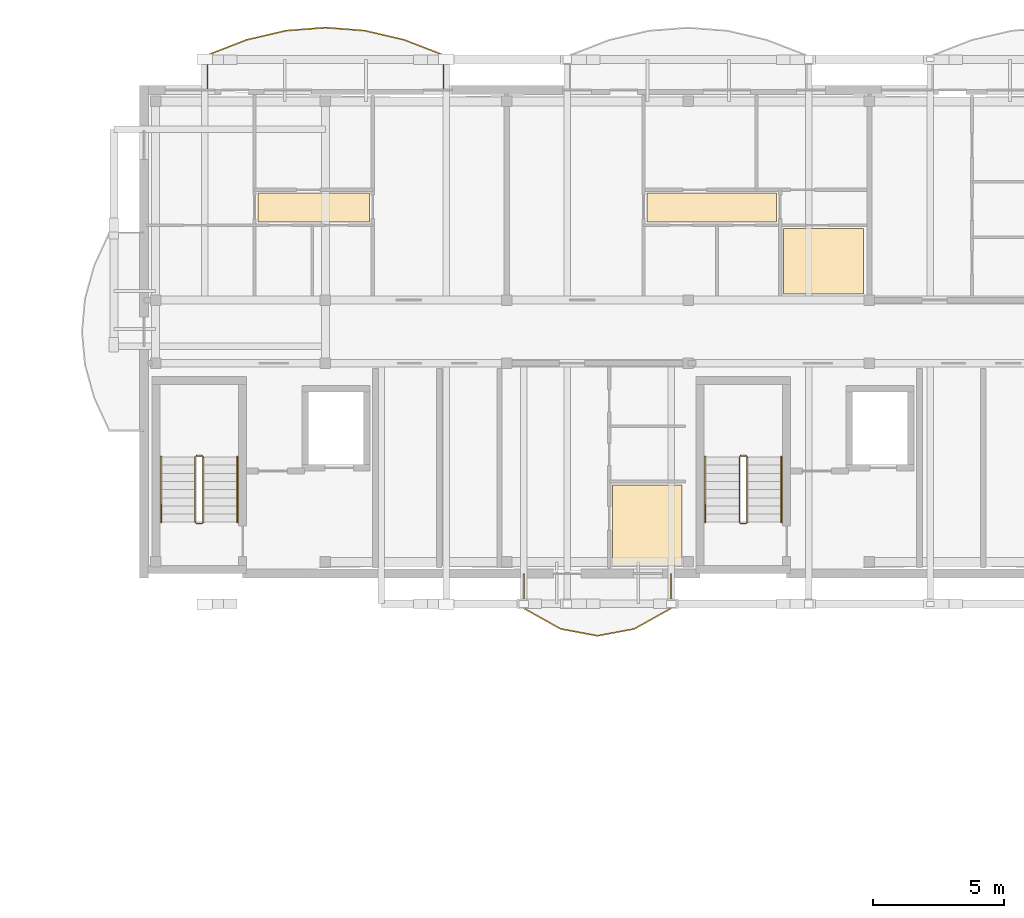
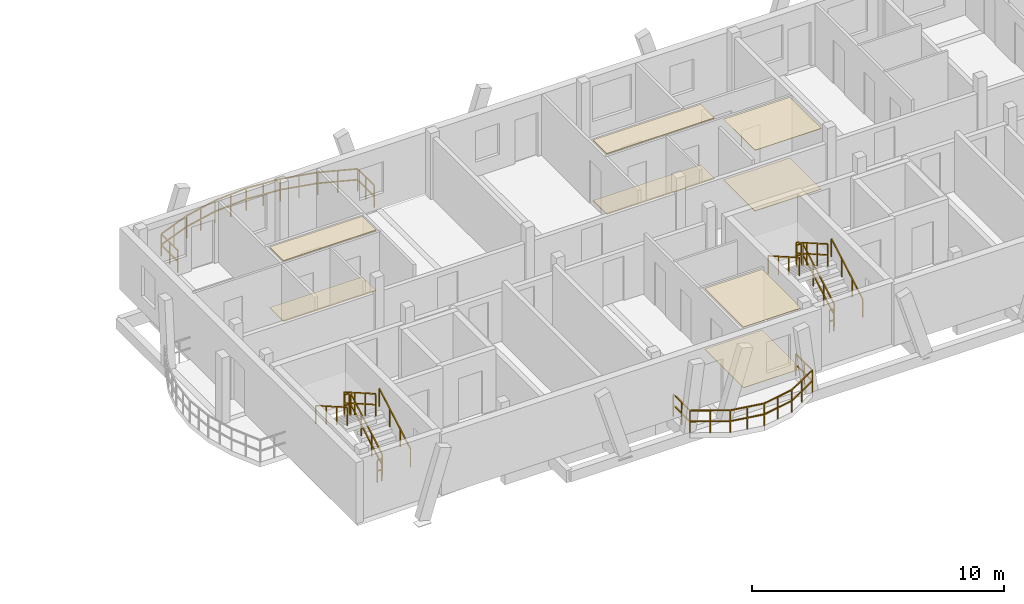
# One storey, part 40 of 41: 14 railings, 8 coverings.
"""IFC4 building model written with IfcOpenShell, lengths in metres."""

from ifc_helpers import new_model, si_unit, direction, frame, origin, origin_2d, place, context, subcontext, project, spatial, polyline, rectangle, outline, extrude, material, layer, layer_set, type_object, element, save


model = new_model("IFC4")

# Units and contexts
model_context = context("Model", 3, precision=1e-05, world=origin(), true_north=direction((0.0, 1.0)))
body_context = subcontext(model_context, "Body", "Model", "MODEL_VIEW")
ifc_project = project(units=[si_unit("LENGTHUNIT", "METRE"), si_unit("AREAUNIT", "SQUARE_METRE"), si_unit("VOLUMEUNIT", "CUBIC_METRE"), si_unit("PLANEANGLEUNIT", "RADIAN"), si_unit("MASSUNIT", "GRAM", prefix="KILO")], contexts=[model_context])

# Site, building, storey
site_placement = place(None, origin())
site = spatial("IfcSite", under=ifc_project, at=site_placement, CompositionType="ELEMENT")
building_placement = place(site_placement, origin())
building = spatial("IfcBuilding", under=site, at=building_placement, Name="Zavelmont Quarter", CompositionType="ELEMENT")
storey_placement = place(building_placement, frame((0.0, 0.0, 27.199951171875)))
storey = spatial("IfcBuildingStorey", under=building, at=storey_placement, Name="L08", CompositionType="ELEMENT", Elevation=27.199951171875)

# Coverings
ifc_material_1 = material(Name="Perforated acoustic gypsum board")
ifc_layer_1 = layer(ifc_material_1, 0.02490234375)
ifc_layer_set_1 = layer_set([ifc_layer_1], Name="Perforated acoustic gypsum board")
covering_type_1 = type_object("IfcCoveringType", Name="CV-CL01", PredefinedType="CEILING", material=ifc_layer_set_1)
covering_1_placement = place(storey_placement, frame((0.0, 0.0, 2.93505859375)))
element("IfcCovering", 1, at=covering_1_placement, inside=storey, type_object=covering_type_1, Name="L08 Single Bedroom acoustic ceiling", PredefinedType="CEILING", context=body_context, shape_type="SweptSolid", body=[
    extrude(outline(polyline([(144.429931640625, 100.969970703125), (147.070068359375, 100.969970703125), (147.070068359375, 98.280029296875), (147.06005859375, 98.280029296875), (147.06005859375, 97.8798828125), (144.429931640625, 97.8798828125), (144.429931640625, 100.969970703125)])), origin(), (0.0, 0.0, 1.0), 0.02490234375),
])
ifc_material_2 = material(Name="Slatted European ash acoustic baffle ceiling")
ifc_layer_2 = layer(ifc_material_2, 0.0400390625)
ifc_layer_set_2 = layer_set([ifc_layer_2], Name="Slatted European ash acoustic baffle ceiling")
covering_type_2 = type_object("IfcCoveringType", Name="CV-CL02", PredefinedType="CEILING", material=ifc_layer_set_2)
covering_2_placement = place(storey_placement, frame((0.0, 0.0, 2.920166015625)))
element("IfcCovering", 2, at=covering_2_placement, inside=storey, type_object=covering_type_2, Name="L08 Apartment Hall acoustic ceiling", PredefinedType="CEILING", context=body_context, shape_type="SweptSolid", body=[
    extrude(outline(polyline([(130.929931640625, 112.070068359375), (135.169921875, 112.070068359375), (135.169921875, 110.97998046875), (130.929931640625, 110.97998046875), (130.929931640625, 112.070068359375)])), origin(), (0.0, 0.0, 1.0), 0.039794921875),
])
covering_3_placement = place(storey_placement, frame((0.0, 0.0, 2.920166015625)))
element("IfcCovering", 3, at=covering_3_placement, inside=storey, type_object=covering_type_2, Name="L08 Apartment Hall acoustic ceiling", PredefinedType="CEILING", context=body_context, shape_type="SweptSolid", body=[
    extrude(outline(polyline([(145.72998046875, 112.070068359375), (150.669921875, 112.070068359375), (150.669921875, 110.97998046875), (145.72998046875, 110.97998046875), (145.72998046875, 112.070068359375)])), origin(), (0.0, 0.0, 1.0), 0.039794921875),
])
ifc_material_3 = material(Name="Moisture-resistant painted gypsum ceiling")
ifc_layer_3 = layer(ifc_material_3, 0.02001953125)
ifc_layer_set_3 = layer_set([ifc_layer_3], Name="Moisture-resistant painted gypsum ceiling")
covering_type_3 = type_object("IfcCoveringType", Name="CV-CL04", PredefinedType="CEILING", material=ifc_layer_set_3)
covering_4_placement = place(storey_placement, frame((0.0, 0.0, 2.93994140625)))
element("IfcCovering", 4, at=covering_4_placement, inside=storey, type_object=covering_type_3, Name="L08 Bathroom acoustic ceiling", PredefinedType="CEILING", context=body_context, shape_type="SweptSolid", body=[
    extrude(outline(polyline([(150.929931640625, 110.719970703125), (153.969970703125, 110.719970703125), (153.969970703125, 108.239990234375), (153.9599609375, 108.239990234375), (153.9599609375, 108.22998046875), (150.929931640625, 108.22998046875), (150.929931640625, 110.719970703125)])), origin(), (0.0, 0.0, 1.0), 0.02001953125),
])
ifc_material_4 = material(Name="Engineered European oak parquet")
ifc_layer_4 = layer(ifc_material_4, 0.02197265625)
ifc_layer_set_4 = layer_set([ifc_layer_4], Name="Engineered European oak parquet")
covering_type_4 = type_object("IfcCoveringType", Name="CV-FL01", PredefinedType="FLOORING", material=ifc_layer_set_4)
covering_5_placement = place(storey_placement, origin())
element("IfcCovering", 5, at=covering_5_placement, inside=storey, type_object=covering_type_4, Name="L08 Single Bedroom floor finish", PredefinedType="FLOORING", context=body_context, shape_type="SweptSolid", body=[
    extrude(outline(polyline([(144.429931640625, 100.969970703125), (147.070068359375, 100.969970703125), (147.070068359375, 98.280029296875), (147.06005859375, 98.280029296875), (147.06005859375, 97.8798828125), (144.429931640625, 97.8798828125), (144.429931640625, 100.969970703125)])), origin(), (0.0, 0.0, 1.0), 0.02197265625),
])
ifc_material_5 = material(Name="Honed Belgian bluestone tile", Category="masonry")
ifc_layer_5 = layer(ifc_material_5, 0.030029296875)
ifc_layer_set_5 = layer_set([ifc_layer_5], Name="Honed Belgian bluestone tile")
covering_type_5 = type_object("IfcCoveringType", Name="CV-FL02", PredefinedType="FLOORING", material=ifc_layer_set_5)
covering_6_placement = place(storey_placement, origin())
element("IfcCovering", 6, at=covering_6_placement, inside=storey, type_object=covering_type_5, Name="L08 Apartment Hall floor finish", PredefinedType="FLOORING", context=body_context, shape_type="SweptSolid", body=[
    extrude(outline(polyline([(130.929931640625, 112.070068359375), (135.169921875, 112.070068359375), (135.169921875, 110.97998046875), (130.929931640625, 110.97998046875), (130.929931640625, 112.070068359375)])), origin(), (0.0, 0.0, 1.0), 0.030029296875),
])
covering_7_placement = place(storey_placement, origin())
element("IfcCovering", 7, at=covering_7_placement, inside=storey, type_object=covering_type_5, Name="L08 Apartment Hall floor finish", PredefinedType="FLOORING", context=body_context, shape_type="SweptSolid", body=[
    extrude(outline(polyline([(145.72998046875, 112.070068359375), (150.669921875, 112.070068359375), (150.669921875, 110.97998046875), (145.72998046875, 110.97998046875), (145.72998046875, 112.070068359375)])), origin(), (0.0, 0.0, 1.0), 0.030029296875),
])
ifc_material_6 = material(Name="Slip-resistant porcelain tile")
ifc_layer_6 = layer(ifc_material_6, 0.02587890625)
ifc_layer_set_6 = layer_set([ifc_layer_6], Name="Slip-resistant porcelain tile")
covering_type_6 = type_object("IfcCoveringType", Name="CV-FL04", PredefinedType="FLOORING", material=ifc_layer_set_6)
covering_8_placement = place(storey_placement, origin())
element("IfcCovering", 8, at=covering_8_placement, inside=storey, type_object=covering_type_6, Name="L08 Bathroom floor finish", PredefinedType="FLOORING", context=body_context, shape_type="SweptSolid", body=[
    extrude(outline(polyline([(150.929931640625, 110.719970703125), (153.969970703125, 110.719970703125), (153.969970703125, 108.239990234375), (153.9599609375, 108.239990234375), (153.9599609375, 108.22998046875), (150.929931640625, 108.22998046875), (150.929931640625, 110.719970703125)])), origin(), (0.0, 0.0, 1.0), 0.026123046875),
])

# Railings
ifc_material_7 = material(Name="Powder-coated steel and tempered double safety glass", Category="steel")
railing_type_1 = type_object("IfcRailingType", Name="RL-BAL1", PredefinedType="BALUSTRADE", material=ifc_material_7)
railing_1_placement = place(storey_placement, frame((137.99267578125, 116.02001953125, 0.0)))
element("IfcRailing", 9, at=railing_1_placement, inside=storey, type_object=railing_type_1, Name="L08 Block C curved balcony guard RL-BAL1", PredefinedType="BALUSTRADE", context=body_context, shape_type="SweptSolid", body=[
    extrude(rectangle(XDim=0.048095703125, YDim=0.048095703125, at=origin_2d()), frame((0.0, 0.0, 1.076171875), z_axis=(0.0, 1.0, 0.0), x_axis=(-1.0, 0.0, 0.0)), (0.0, 0.0, 1.0), 1.308837890625),
    extrude(rectangle(XDim=0.048095703125, YDim=0.048095703125, at=origin_2d()), frame((0.0, 0.0, 0.550048828125), z_axis=(0.0, 1.0, 0.0), x_axis=(-1.0, 0.0, 0.0)), (0.0, 0.0, 1.0), 1.308837890625),
    extrude(rectangle(XDim=0.048095703125, YDim=0.048095703125, at=origin_2d()), frame((0.0, 1.308837890625, 1.076171875), z_axis=(-0.932488832958, 0.36119880455, 0.0), x_axis=(-0.36119880455, -0.932488832958, 0.0)), (0.0, 0.0, 1.0), 1.60595703125),
    extrude(rectangle(XDim=0.048095703125, YDim=0.048095703125, at=origin_2d()), frame((0.0, 1.308837890625, 0.550048828125), z_axis=(-0.932488832958, 0.36119880455, 0.0), x_axis=(-0.36119880455, -0.932488832958, 0.0)), (0.0, 0.0, 1.0), 1.60595703125),
    extrude(rectangle(XDim=0.048095703125, YDim=0.048095703125, at=origin_2d()), frame((-1.49755859375, 1.888916015625, 1.076171875), z_axis=(-0.9740259481, 0.226436420279, 0.0), x_axis=(-0.226436420279, -0.9740259481, 0.0)), (0.0, 0.0, 1.0), 1.53759765625),
    extrude(rectangle(XDim=0.048095703125, YDim=0.048095703125, at=origin_2d()), frame((-1.49755859375, 1.888916015625, 0.550048828125), z_axis=(-0.9740259481, 0.226436420279, 0.0), x_axis=(-0.226436420279, -0.9740259481, 0.0)), (0.0, 0.0, 1.0), 1.53759765625),
    extrude(rectangle(XDim=0.048095703125, YDim=0.048095703125, at=origin_2d()), frame((-2.9951171875, 2.237060546875, 1.076171875), z_axis=(-0.997015154649, 0.077206096912, 0.0), x_axis=(-0.077206096912, -0.997015154649, 0.0)), (0.0, 0.0, 1.0), 1.501953125),
    extrude(rectangle(XDim=0.048095703125, YDim=0.048095703125, at=origin_2d()), frame((-2.9951171875, 2.237060546875, 0.550048828125), z_axis=(-0.997015154649, 0.077206096912, 0.0), x_axis=(-0.077206096912, -0.997015154649, 0.0)), (0.0, 0.0, 1.0), 1.501953125),
    extrude(rectangle(XDim=0.048095703125, YDim=0.048095703125, at=origin_2d()), frame((-4.49267578125, 2.35302734375, 1.076171875), z_axis=(-0.997015154649, -0.077206096912, 0.0), x_axis=(0.077206096912, -0.997015154649, 0.0)), (0.0, 0.0, 1.0), 1.501953125),
    extrude(rectangle(XDim=0.048095703125, YDim=0.048095703125, at=origin_2d()), frame((-4.49267578125, 2.35302734375, 0.550048828125), z_axis=(-0.997015154649, -0.077206096912, 0.0), x_axis=(0.077206096912, -0.997015154649, 0.0)), (0.0, 0.0, 1.0), 1.501953125),
    extrude(rectangle(XDim=0.048095703125, YDim=0.048095703125, at=origin_2d()), frame((-5.990234375, 2.237060546875, 1.076171875), z_axis=(-0.9740259481, -0.226436420279, 0.0), x_axis=(0.226436420279, -0.9740259481, 0.0)), (0.0, 0.0, 1.0), 1.53759765625),
    extrude(rectangle(XDim=0.048095703125, YDim=0.048095703125, at=origin_2d()), frame((-5.990234375, 2.237060546875, 0.550048828125), z_axis=(-0.9740259481, -0.226436420279, 0.0), x_axis=(0.226436420279, -0.9740259481, 0.0)), (0.0, 0.0, 1.0), 1.53759765625),
    extrude(rectangle(XDim=0.048095703125, YDim=0.048095703125, at=origin_2d()), frame((-7.48779296875, 1.888916015625, 1.076171875), z_axis=(-0.932488832958, -0.36119880455, 0.0), x_axis=(0.36119880455, -0.932488832958, 0.0)), (0.0, 0.0, 1.0), 1.60595703125),
    extrude(rectangle(XDim=0.048095703125, YDim=0.048095703125, at=origin_2d()), frame((-7.48779296875, 1.888916015625, 0.550048828125), z_axis=(-0.932488832958, -0.36119880455, 0.0), x_axis=(0.36119880455, -0.932488832958, 0.0)), (0.0, 0.0, 1.0), 1.60595703125),
    extrude(rectangle(XDim=0.048095703125, YDim=0.048095703125, at=origin_2d()), frame((-8.9853515625, 1.308837890625, 1.076171875), z_axis=(0.0, -1.0, 0.0), x_axis=(1.0, 0.0, 0.0)), (0.0, 0.0, 1.0), 1.308837890625),
    extrude(rectangle(XDim=0.048095703125, YDim=0.048095703125, at=origin_2d()), frame((-8.9853515625, 1.308837890625, 0.550048828125), z_axis=(0.0, -1.0, 0.0), x_axis=(1.0, 0.0, 0.0)), (0.0, 0.0, 1.0), 1.308837890625),
    extrude(rectangle(XDim=0.0419921875, YDim=0.0419921875, at=origin_2d()), origin(), (0.0, 0.0, 1.0), 1.052001953125),
    extrude(rectangle(XDim=0.0419921875, YDim=0.0419921875, at=origin_2d()), frame((0.0, 0.654296875, 0.0)), (0.0, 0.0, 1.0), 1.052001953125),
    extrude(rectangle(XDim=0.0419921875, YDim=0.0419921875, at=origin_2d()), frame((0.0, 1.308837890625, 0.0)), (0.0, 0.0, 1.0), 1.052001953125),
    extrude(rectangle(XDim=0.0419921875, YDim=0.0419921875, at=origin_2d()), frame((-0.748779296875, 1.598876953125, 0.0)), (0.0, 0.0, 1.0), 1.052001953125),
    extrude(rectangle(XDim=0.0419921875, YDim=0.0419921875, at=origin_2d()), frame((-1.49755859375, 1.888916015625, 0.0)), (0.0, 0.0, 1.0), 1.052001953125),
    extrude(rectangle(XDim=0.0419921875, YDim=0.0419921875, at=origin_2d()), frame((-2.246337890625, 2.06298828125, 0.0)), (0.0, 0.0, 1.0), 1.052001953125),
    extrude(rectangle(XDim=0.0419921875, YDim=0.0419921875, at=origin_2d()), frame((-2.9951171875, 2.237060546875, 0.0)), (0.0, 0.0, 1.0), 1.052001953125),
    extrude(rectangle(XDim=0.0419921875, YDim=0.0419921875, at=origin_2d()), frame((-3.743896484375, 2.294921875, 0.0)), (0.0, 0.0, 1.0), 1.052001953125),
    extrude(rectangle(XDim=0.0419921875, YDim=0.0419921875, at=origin_2d()), frame((-4.49267578125, 2.35302734375, 0.0)), (0.0, 0.0, 1.0), 1.052001953125),
    extrude(rectangle(XDim=0.0419921875, YDim=0.0419921875, at=origin_2d()), frame((-5.241455078125, 2.294921875, 0.0)), (0.0, 0.0, 1.0), 1.052001953125),
    extrude(rectangle(XDim=0.0419921875, YDim=0.0419921875, at=origin_2d()), frame((-5.990234375, 2.237060546875, 0.0)), (0.0, 0.0, 1.0), 1.052001953125),
    extrude(rectangle(XDim=0.0419921875, YDim=0.0419921875, at=origin_2d()), frame((-6.739013671875, 2.06298828125, 0.0)), (0.0, 0.0, 1.0), 1.052001953125),
    extrude(rectangle(XDim=0.0419921875, YDim=0.0419921875, at=origin_2d()), frame((-7.48779296875, 1.888916015625, 0.0)), (0.0, 0.0, 1.0), 1.052001953125),
    extrude(rectangle(XDim=0.0419921875, YDim=0.0419921875, at=origin_2d()), frame((-8.236572265625, 1.598876953125, 0.0)), (0.0, 0.0, 1.0), 1.052001953125),
    extrude(rectangle(XDim=0.0419921875, YDim=0.0419921875, at=origin_2d()), frame((-8.9853515625, 1.308837890625, 0.0)), (0.0, 0.0, 1.0), 1.052001953125),
    extrude(rectangle(XDim=0.0419921875, YDim=0.0419921875, at=origin_2d()), frame((-8.9853515625, 0.654296875, 0.0)), (0.0, 0.0, 1.0), 1.052001953125),
    extrude(rectangle(XDim=0.0419921875, YDim=0.0419921875, at=origin_2d()), frame((-8.9853515625, 0.0, 0.0)), (0.0, 0.0, 1.0), 1.052001953125),
])
railing_2_placement = place(storey_placement, frame((141.050048828125, 97.580078125, 0.0)))
element("IfcRailing", 10, at=railing_2_placement, inside=storey, type_object=railing_type_1, Name="L08 Block C curved balcony guard RL-BAL1", PredefinedType="BALUSTRADE", context=body_context, shape_type="SweptSolid", body=[
    extrude(rectangle(XDim=0.048095703125, YDim=0.048095703125, at=origin_2d()), frame((0.0, 0.0, 1.076171875), z_axis=(0.0, -1.0, 0.0), x_axis=(1.0, 0.0, 0.0)), (0.0, 0.0, 1.0), 1.30908203125),
    extrude(rectangle(XDim=0.048095703125, YDim=0.048095703125, at=origin_2d()), frame((0.0, 0.0, 0.550048828125), z_axis=(0.0, -1.0, 0.0), x_axis=(1.0, 0.0, 0.0)), (0.0, 0.0, 1.0), 1.30908203125),
    extrude(rectangle(XDim=0.048095703125, YDim=0.048095703125, at=origin_2d()), frame((0.0, -1.30908203125, 1.076171875), z_axis=(0.872768038882, -0.488135176264, 0.0), x_axis=(0.488135176264, 0.872768038882, 0.0)), (0.0, 0.0, 1.0), 1.60400390625),
    extrude(rectangle(XDim=0.048095703125, YDim=0.048095703125, at=origin_2d()), frame((0.0, -1.30908203125, 0.550048828125), z_axis=(0.872768038882, -0.488135176264, 0.0), x_axis=(0.488135176264, 0.872768038882, 0.0)), (0.0, 0.0, 1.0), 1.60400390625),
    extrude(rectangle(XDim=0.048095703125, YDim=0.048095703125, at=origin_2d()), frame((1.39990234375, -2.092041015625, 1.076171875), z_axis=(0.983067626859, -0.183243119985, 0.0), x_axis=(0.183243119985, 0.983067626859, 0.0)), (0.0, 0.0, 1.0), 1.42431640625),
    extrude(rectangle(XDim=0.048095703125, YDim=0.048095703125, at=origin_2d()), frame((1.39990234375, -2.092041015625, 0.550048828125), z_axis=(0.983067626859, -0.183243119985, 0.0), x_axis=(0.183243119985, 0.983067626859, 0.0)), (0.0, 0.0, 1.0), 1.42431640625),
    extrude(rectangle(XDim=0.048095703125, YDim=0.048095703125, at=origin_2d()), frame((2.800048828125, -2.35302734375, 1.076171875), z_axis=(0.983061869609, 0.183274003943, 0.0), x_axis=(-0.183274003943, 0.983061869609, 0.0)), (0.0, 0.0, 1.0), 1.424072265625),
    extrude(rectangle(XDim=0.048095703125, YDim=0.048095703125, at=origin_2d()), frame((2.800048828125, -2.35302734375, 0.550048828125), z_axis=(0.983061869609, 0.183274003943, 0.0), x_axis=(-0.183274003943, 0.983061869609, 0.0)), (0.0, 0.0, 1.0), 1.424072265625),
    extrude(rectangle(XDim=0.048095703125, YDim=0.048095703125, at=origin_2d()), frame((4.199951171875, -2.092041015625, 1.076171875), z_axis=(0.872768038882, 0.488135176264, 0.0), x_axis=(-0.488135176264, 0.872768038882, 0.0)), (0.0, 0.0, 1.0), 1.60400390625),
    extrude(rectangle(XDim=0.048095703125, YDim=0.048095703125, at=origin_2d()), frame((4.199951171875, -2.092041015625, 0.550048828125), z_axis=(0.872768038882, 0.488135176264, 0.0), x_axis=(-0.488135176264, 0.872768038882, 0.0)), (0.0, 0.0, 1.0), 1.60400390625),
    extrude(rectangle(XDim=0.048095703125, YDim=0.048095703125, at=origin_2d()), frame((5.599853515625, -1.30908203125, 1.076171875), z_axis=(0.0, 1.0, 0.0), x_axis=(-1.0, 0.0, 0.0)), (0.0, 0.0, 1.0), 1.30908203125),
    extrude(rectangle(XDim=0.048095703125, YDim=0.048095703125, at=origin_2d()), frame((5.599853515625, -1.30908203125, 0.550048828125), z_axis=(0.0, 1.0, 0.0), x_axis=(-1.0, 0.0, 0.0)), (0.0, 0.0, 1.0), 1.30908203125),
    extrude(rectangle(XDim=0.0419921875, YDim=0.0419921875, at=origin_2d()), origin(), (0.0, 0.0, 1.0), 1.052001953125),
    extrude(rectangle(XDim=0.0419921875, YDim=0.0419921875, at=origin_2d()), frame((0.0, -0.654541015625, 0.0)), (0.0, 0.0, 1.0), 1.052001953125),
    extrude(rectangle(XDim=0.0419921875, YDim=0.0419921875, at=origin_2d()), frame((0.0, -1.30908203125, 0.0)), (0.0, 0.0, 1.0), 1.052001953125),
    extrude(rectangle(XDim=0.0419921875, YDim=0.0419921875, at=origin_2d()), frame((0.699951171875, -1.70068359375, 0.0)), (0.0, 0.0, 1.0), 1.052001953125),
    extrude(rectangle(XDim=0.0419921875, YDim=0.0419921875, at=origin_2d()), frame((1.39990234375, -2.092041015625, 0.0)), (0.0, 0.0, 1.0), 1.052001953125),
    extrude(rectangle(XDim=0.0419921875, YDim=0.0419921875, at=origin_2d()), frame((2.10009765625, -2.22265625, 0.0)), (0.0, 0.0, 1.0), 1.052001953125),
    extrude(rectangle(XDim=0.0419921875, YDim=0.0419921875, at=origin_2d()), frame((2.800048828125, -2.35302734375, 0.0)), (0.0, 0.0, 1.0), 1.052001953125),
    extrude(rectangle(XDim=0.0419921875, YDim=0.0419921875, at=origin_2d()), frame((3.5, -2.22265625, 0.0)), (0.0, 0.0, 1.0), 1.052001953125),
    extrude(rectangle(XDim=0.0419921875, YDim=0.0419921875, at=origin_2d()), frame((4.199951171875, -2.092041015625, 0.0)), (0.0, 0.0, 1.0), 1.052001953125),
    extrude(rectangle(XDim=0.0419921875, YDim=0.0419921875, at=origin_2d()), frame((4.89990234375, -1.70068359375, 0.0)), (0.0, 0.0, 1.0), 1.052001953125),
    extrude(rectangle(XDim=0.0419921875, YDim=0.0419921875, at=origin_2d()), frame((5.599853515625, -1.30908203125, 0.0)), (0.0, 0.0, 1.0), 1.052001953125),
    extrude(rectangle(XDim=0.0419921875, YDim=0.0419921875, at=origin_2d()), frame((5.599853515625, -0.654541015625, 0.0)), (0.0, 0.0, 1.0), 1.052001953125),
    extrude(rectangle(XDim=0.0419921875, YDim=0.0419921875, at=origin_2d()), frame((5.599853515625, 0.0, 0.0)), (0.0, 0.0, 1.0), 1.052001953125),
])
ifc_material_8 = material(Name="Powder-coated steel stair guardrail", Category="steel")
railing_type_2 = type_object("IfcRailingType", Name="RL-GRD1", PredefinedType="GUARDRAIL", material=ifc_material_8)
railing_3_placement = place(storey_placement, frame((128.85009765625, 99.550048828125, 0.177734375)))
element("IfcRailing", 11, at=railing_3_placement, inside=storey, type_object=railing_type_2, Name="L08 ST05 stair guardrail 1", PredefinedType="GUARDRAIL", context=body_context, shape_type="SweptSolid", body=[
    extrude(rectangle(XDim=0.048095703125, YDim=0.048095703125, at=origin_2d()), frame((0.0, 0.0, 1.076171875), z_axis=(0.0, 0.867453774394, 0.497517787913), x_axis=(-1.0, 0.0, 0.0)), (0.0, 0.0, 1.0), 2.85888671875),
    extrude(rectangle(XDim=0.048095703125, YDim=0.048095703125, at=origin_2d()), frame((0.0, 0.0, 0.550048828125), z_axis=(0.0, 0.867453774394, 0.497517787913), x_axis=(-1.0, 0.0, 0.0)), (0.0, 0.0, 1.0), 2.85888671875),
    extrude(rectangle(XDim=0.0419921875, YDim=0.0419921875, at=origin_2d()), origin(), (0.0, 0.0, 1.0), 1.052001953125),
    extrude(rectangle(XDim=0.0419921875, YDim=0.0419921875, at=origin_2d()), frame((0.0, 0.82666015625, 0.47412109375)), (0.0, 0.0, 1.0), 1.052001953125),
    extrude(rectangle(XDim=0.0419921875, YDim=0.0419921875, at=origin_2d()), frame((0.0, 1.6533203125, 0.9482421875)), (0.0, 0.0, 1.0), 1.052001953125),
    extrude(rectangle(XDim=0.0419921875, YDim=0.0419921875, at=origin_2d()), frame((0.0, 2.47998046875, 1.42236328125)), (0.0, 0.0, 1.0), 1.052001953125),
])
railing_4_placement = place(storey_placement, frame((128.800048828125, 102.080078125, 1.60009765625)))
element("IfcRailing", 12, at=railing_4_placement, inside=storey, type_object=railing_type_2, Name="L08 ST05 stair guardrail 2", PredefinedType="GUARDRAIL", context=body_context, shape_type="SweptSolid", body=[
    extrude(rectangle(XDim=0.048095703125, YDim=0.048095703125, at=origin_2d()), frame((0.0, 0.0, 1.076171875), z_axis=(-1.0, 0.0, 0.0), x_axis=(0.0, -1.0, 0.0)), (0.0, 0.0, 1.0), 0.199951171875),
    extrude(rectangle(XDim=0.048095703125, YDim=0.048095703125, at=origin_2d()), frame((0.0, 0.0, 0.550048828125), z_axis=(-1.0, 0.0, 0.0), x_axis=(0.0, -1.0, 0.0)), (0.0, 0.0, 1.0), 0.199951171875),
    extrude(rectangle(XDim=0.0419921875, YDim=0.0419921875, at=origin_2d()), origin(), (0.0, 0.0, 1.0), 1.052001953125),
    extrude(rectangle(XDim=0.0419921875, YDim=0.0419921875, at=origin_2d()), frame((-0.199951171875, 0.0, 0.0)), (0.0, 0.0, 1.0), 1.052001953125),
])
railing_5_placement = place(storey_placement, frame((128.550048828125, 102.030029296875, 1.77783203125)))
element("IfcRailing", 13, at=railing_5_placement, inside=storey, type_object=railing_type_2, Name="L08 ST05 stair guardrail 3", PredefinedType="GUARDRAIL", context=body_context, shape_type="SweptSolid", body=[
    extrude(rectangle(XDim=0.048095703125, YDim=0.048095703125, at=origin_2d()), frame((0.0, 0.0, 1.076171875), z_axis=(0.0, -0.867490628297, 0.497453525283), x_axis=(1.0, 0.0, 0.0)), (0.0, 0.0, 1.0), 2.85888671875),
    extrude(rectangle(XDim=0.048095703125, YDim=0.048095703125, at=origin_2d()), frame((0.0, 0.0, 0.550048828125), z_axis=(0.0, -0.867490628297, 0.497453525283), x_axis=(1.0, 0.0, 0.0)), (0.0, 0.0, 1.0), 2.85888671875),
    extrude(rectangle(XDim=0.0419921875, YDim=0.0419921875, at=origin_2d()), origin(), (0.0, 0.0, 1.0), 1.052001953125),
    extrude(rectangle(XDim=0.0419921875, YDim=0.0419921875, at=origin_2d()), frame((0.0, -0.82666015625, 0.47412109375)), (0.0, 0.0, 1.0), 1.052001953125),
    extrude(rectangle(XDim=0.0419921875, YDim=0.0419921875, at=origin_2d()), frame((0.0, -1.6533203125, 0.947998046875)), (0.0, 0.0, 1.0), 1.052001953125),
    extrude(rectangle(XDim=0.0419921875, YDim=0.0419921875, at=origin_2d()), frame((0.0, -2.47998046875, 1.422119140625)), (0.0, 0.0, 1.0), 1.052001953125),
])
railing_6_placement = place(storey_placement, frame((128.800048828125, 99.5, 0.0)))
element("IfcRailing", 14, at=railing_6_placement, inside=storey, type_object=railing_type_2, Name="L08 ST05 stair guardrail 4", PredefinedType="GUARDRAIL", context=body_context, shape_type="SweptSolid", body=[
    extrude(rectangle(XDim=0.048095703125, YDim=0.048095703125, at=origin_2d()), frame((0.0, 0.0, 1.076171875), z_axis=(-1.0, 0.0, 0.0), x_axis=(0.0, -1.0, 0.0)), (0.0, 0.0, 1.0), 0.199951171875),
    extrude(rectangle(XDim=0.048095703125, YDim=0.048095703125, at=origin_2d()), frame((0.0, 0.0, 0.550048828125), z_axis=(-1.0, 0.0, 0.0), x_axis=(0.0, -1.0, 0.0)), (0.0, 0.0, 1.0), 0.199951171875),
    extrude(rectangle(XDim=0.0419921875, YDim=0.0419921875, at=origin_2d()), origin(), (0.0, 0.0, 1.0), 1.052001953125),
    extrude(rectangle(XDim=0.0419921875, YDim=0.0419921875, at=origin_2d()), frame((-0.199951171875, 0.0, 0.0)), (0.0, 0.0, 1.0), 1.052001953125),
])
railing_7_placement = place(storey_placement, frame((149.550048828125, 99.550048828125, 0.177734375)))
element("IfcRailing", 15, at=railing_7_placement, inside=storey, type_object=railing_type_2, Name="L08 ST06 stair guardrail 1", PredefinedType="GUARDRAIL", context=body_context, shape_type="SweptSolid", body=[
    extrude(rectangle(XDim=0.048095703125, YDim=0.048095703125, at=origin_2d()), frame((0.0, 0.0, 1.076171875), z_axis=(0.0, 0.867453774394, 0.497517787913), x_axis=(-1.0, 0.0, 0.0)), (0.0, 0.0, 1.0), 2.85888671875),
    extrude(rectangle(XDim=0.048095703125, YDim=0.048095703125, at=origin_2d()), frame((0.0, 0.0, 0.550048828125), z_axis=(0.0, 0.867453774394, 0.497517787913), x_axis=(-1.0, 0.0, 0.0)), (0.0, 0.0, 1.0), 2.85888671875),
    extrude(rectangle(XDim=0.0419921875, YDim=0.0419921875, at=origin_2d()), origin(), (0.0, 0.0, 1.0), 1.052001953125),
    extrude(rectangle(XDim=0.0419921875, YDim=0.0419921875, at=origin_2d()), frame((0.0, 0.82666015625, 0.47412109375)), (0.0, 0.0, 1.0), 1.052001953125),
    extrude(rectangle(XDim=0.0419921875, YDim=0.0419921875, at=origin_2d()), frame((0.0, 1.6533203125, 0.9482421875)), (0.0, 0.0, 1.0), 1.052001953125),
    extrude(rectangle(XDim=0.0419921875, YDim=0.0419921875, at=origin_2d()), frame((0.0, 2.47998046875, 1.42236328125)), (0.0, 0.0, 1.0), 1.052001953125),
])
railing_8_placement = place(storey_placement, frame((149.5, 102.080078125, 1.60009765625)))
element("IfcRailing", 16, at=railing_8_placement, inside=storey, type_object=railing_type_2, Name="L08 ST06 stair guardrail 2", PredefinedType="GUARDRAIL", context=body_context, shape_type="SweptSolid", body=[
    extrude(rectangle(XDim=0.048095703125, YDim=0.048095703125, at=origin_2d()), frame((0.0, 0.0, 1.076171875), z_axis=(-1.0, 0.0, 0.0), x_axis=(0.0, -1.0, 0.0)), (0.0, 0.0, 1.0), 0.199951171875),
    extrude(rectangle(XDim=0.048095703125, YDim=0.048095703125, at=origin_2d()), frame((0.0, 0.0, 0.550048828125), z_axis=(-1.0, 0.0, 0.0), x_axis=(0.0, -1.0, 0.0)), (0.0, 0.0, 1.0), 0.199951171875),
    extrude(rectangle(XDim=0.0419921875, YDim=0.0419921875, at=origin_2d()), origin(), (0.0, 0.0, 1.0), 1.052001953125),
    extrude(rectangle(XDim=0.0419921875, YDim=0.0419921875, at=origin_2d()), frame((-0.199951171875, 0.0, 0.0)), (0.0, 0.0, 1.0), 1.052001953125),
])
railing_9_placement = place(storey_placement, frame((149.25, 102.030029296875, 1.77783203125)))
element("IfcRailing", 17, at=railing_9_placement, inside=storey, type_object=railing_type_2, Name="L08 ST06 stair guardrail 3", PredefinedType="GUARDRAIL", context=body_context, shape_type="SweptSolid", body=[
    extrude(rectangle(XDim=0.048095703125, YDim=0.048095703125, at=origin_2d()), frame((0.0, 0.0, 1.076171875), z_axis=(0.0, -0.867490628297, 0.497453525283), x_axis=(1.0, 0.0, 0.0)), (0.0, 0.0, 1.0), 2.85888671875),
    extrude(rectangle(XDim=0.048095703125, YDim=0.048095703125, at=origin_2d()), frame((0.0, 0.0, 0.550048828125), z_axis=(0.0, -0.867490628297, 0.497453525283), x_axis=(1.0, 0.0, 0.0)), (0.0, 0.0, 1.0), 2.85888671875),
    extrude(rectangle(XDim=0.0419921875, YDim=0.0419921875, at=origin_2d()), origin(), (0.0, 0.0, 1.0), 1.052001953125),
    extrude(rectangle(XDim=0.0419921875, YDim=0.0419921875, at=origin_2d()), frame((0.0, -0.82666015625, 0.47412109375)), (0.0, 0.0, 1.0), 1.052001953125),
    extrude(rectangle(XDim=0.0419921875, YDim=0.0419921875, at=origin_2d()), frame((0.0, -1.6533203125, 0.947998046875)), (0.0, 0.0, 1.0), 1.052001953125),
    extrude(rectangle(XDim=0.0419921875, YDim=0.0419921875, at=origin_2d()), frame((0.0, -2.47998046875, 1.422119140625)), (0.0, 0.0, 1.0), 1.052001953125),
])
railing_10_placement = place(storey_placement, frame((149.5, 99.5, 0.0)))
element("IfcRailing", 18, at=railing_10_placement, inside=storey, type_object=railing_type_2, Name="L08 ST06 stair guardrail 4", PredefinedType="GUARDRAIL", context=body_context, shape_type="SweptSolid", body=[
    extrude(rectangle(XDim=0.048095703125, YDim=0.048095703125, at=origin_2d()), frame((0.0, 0.0, 1.076171875), z_axis=(-1.0, 0.0, 0.0), x_axis=(0.0, -1.0, 0.0)), (0.0, 0.0, 1.0), 0.199951171875),
    extrude(rectangle(XDim=0.048095703125, YDim=0.048095703125, at=origin_2d()), frame((0.0, 0.0, 0.550048828125), z_axis=(-1.0, 0.0, 0.0), x_axis=(0.0, -1.0, 0.0)), (0.0, 0.0, 1.0), 0.199951171875),
    extrude(rectangle(XDim=0.0419921875, YDim=0.0419921875, at=origin_2d()), origin(), (0.0, 0.0, 1.0), 1.052001953125),
    extrude(rectangle(XDim=0.0419921875, YDim=0.0419921875, at=origin_2d()), frame((-0.199951171875, 0.0, 0.0)), (0.0, 0.0, 1.0), 1.052001953125),
])
ifc_material_9 = material(Name="Brushed stainless-steel wall handrail", Category="steel")
railing_type_3 = type_object("IfcRailingType", Name="RL-HND1", PredefinedType="HANDRAIL", material=ifc_material_9)
railing_11_placement = place(storey_placement, frame((130.14990234375, 99.550048828125, 0.177734375)))
element("IfcRailing", 19, at=railing_11_placement, inside=storey, type_object=railing_type_3, Name="L08 ST05 stair handrail 1", PredefinedType="HANDRAIL", context=body_context, shape_type="SweptSolid", body=[
    extrude(rectangle(XDim=0.048095703125, YDim=0.048095703125, at=origin_2d()), frame((0.0, 0.0, 0.8759765625), z_axis=(0.0, 0.867453774394, 0.497517787913), x_axis=(-1.0, 0.0, 0.0)), (0.0, 0.0, 1.0), 2.85888671875),
    extrude(rectangle(XDim=0.0419921875, YDim=0.0419921875, at=origin_2d()), origin(), (0.0, 0.0, 1.0), 0.851806640625),
    extrude(rectangle(XDim=0.0419921875, YDim=0.0419921875, at=origin_2d()), frame((0.0, 0.82666015625, 0.47412109375)), (0.0, 0.0, 1.0), 0.851806640625),
    extrude(rectangle(XDim=0.0419921875, YDim=0.0419921875, at=origin_2d()), frame((0.0, 1.6533203125, 0.9482421875)), (0.0, 0.0, 1.0), 0.851806640625),
    extrude(rectangle(XDim=0.0419921875, YDim=0.0419921875, at=origin_2d()), frame((0.0, 2.47998046875, 1.42236328125)), (0.0, 0.0, 1.0), 0.851806640625),
])
railing_12_placement = place(storey_placement, frame((127.25, 102.030029296875, 1.77783203125)))
element("IfcRailing", 20, at=railing_12_placement, inside=storey, type_object=railing_type_3, Name="L08 ST05 stair handrail 2", PredefinedType="HANDRAIL", context=body_context, shape_type="SweptSolid", body=[
    extrude(rectangle(XDim=0.048095703125, YDim=0.048095703125, at=origin_2d()), frame((0.0, 0.0, 0.8759765625), z_axis=(0.0, -0.867490628297, 0.497453525283), x_axis=(1.0, 0.0, 0.0)), (0.0, 0.0, 1.0), 2.85888671875),
    extrude(rectangle(XDim=0.0419921875, YDim=0.0419921875, at=origin_2d()), origin(), (0.0, 0.0, 1.0), 0.851806640625),
    extrude(rectangle(XDim=0.0419921875, YDim=0.0419921875, at=origin_2d()), frame((0.0, -0.82666015625, 0.47412109375)), (0.0, 0.0, 1.0), 0.851806640625),
    extrude(rectangle(XDim=0.0419921875, YDim=0.0419921875, at=origin_2d()), frame((0.0, -1.6533203125, 0.947998046875)), (0.0, 0.0, 1.0), 0.851806640625),
    extrude(rectangle(XDim=0.0419921875, YDim=0.0419921875, at=origin_2d()), frame((0.0, -2.47998046875, 1.422119140625)), (0.0, 0.0, 1.0), 0.851806640625),
])
railing_13_placement = place(storey_placement, frame((150.85009765625, 99.550048828125, 0.177734375)))
element("IfcRailing", 21, at=railing_13_placement, inside=storey, type_object=railing_type_3, Name="L08 ST06 stair handrail 1", PredefinedType="HANDRAIL", context=body_context, shape_type="SweptSolid", body=[
    extrude(rectangle(XDim=0.048095703125, YDim=0.048095703125, at=origin_2d()), frame((0.0, 0.0, 0.8759765625), z_axis=(0.0, 0.867453774394, 0.497517787913), x_axis=(-1.0, 0.0, 0.0)), (0.0, 0.0, 1.0), 2.85888671875),
    extrude(rectangle(XDim=0.0419921875, YDim=0.0419921875, at=origin_2d()), origin(), (0.0, 0.0, 1.0), 0.851806640625),
    extrude(rectangle(XDim=0.0419921875, YDim=0.0419921875, at=origin_2d()), frame((0.0, 0.82666015625, 0.47412109375)), (0.0, 0.0, 1.0), 0.851806640625),
    extrude(rectangle(XDim=0.0419921875, YDim=0.0419921875, at=origin_2d()), frame((0.0, 1.6533203125, 0.9482421875)), (0.0, 0.0, 1.0), 0.851806640625),
    extrude(rectangle(XDim=0.0419921875, YDim=0.0419921875, at=origin_2d()), frame((0.0, 2.47998046875, 1.42236328125)), (0.0, 0.0, 1.0), 0.851806640625),
])
railing_14_placement = place(storey_placement, frame((147.949951171875, 102.030029296875, 1.77783203125)))
element("IfcRailing", 22, at=railing_14_placement, inside=storey, type_object=railing_type_3, Name="L08 ST06 stair handrail 2", PredefinedType="HANDRAIL", context=body_context, shape_type="SweptSolid", body=[
    extrude(rectangle(XDim=0.048095703125, YDim=0.048095703125, at=origin_2d()), frame((0.0, 0.0, 0.8759765625), z_axis=(0.0, -0.867490628297, 0.497453525283), x_axis=(1.0, 0.0, 0.0)), (0.0, 0.0, 1.0), 2.85888671875),
    extrude(rectangle(XDim=0.0419921875, YDim=0.0419921875, at=origin_2d()), origin(), (0.0, 0.0, 1.0), 0.851806640625),
    extrude(rectangle(XDim=0.0419921875, YDim=0.0419921875, at=origin_2d()), frame((0.0, -0.82666015625, 0.47412109375)), (0.0, 0.0, 1.0), 0.851806640625),
    extrude(rectangle(XDim=0.0419921875, YDim=0.0419921875, at=origin_2d()), frame((0.0, -1.6533203125, 0.947998046875)), (0.0, 0.0, 1.0), 0.851806640625),
    extrude(rectangle(XDim=0.0419921875, YDim=0.0419921875, at=origin_2d()), frame((0.0, -2.47998046875, 1.422119140625)), (0.0, 0.0, 1.0), 0.851806640625),
])

save(model, "model.ifc")
